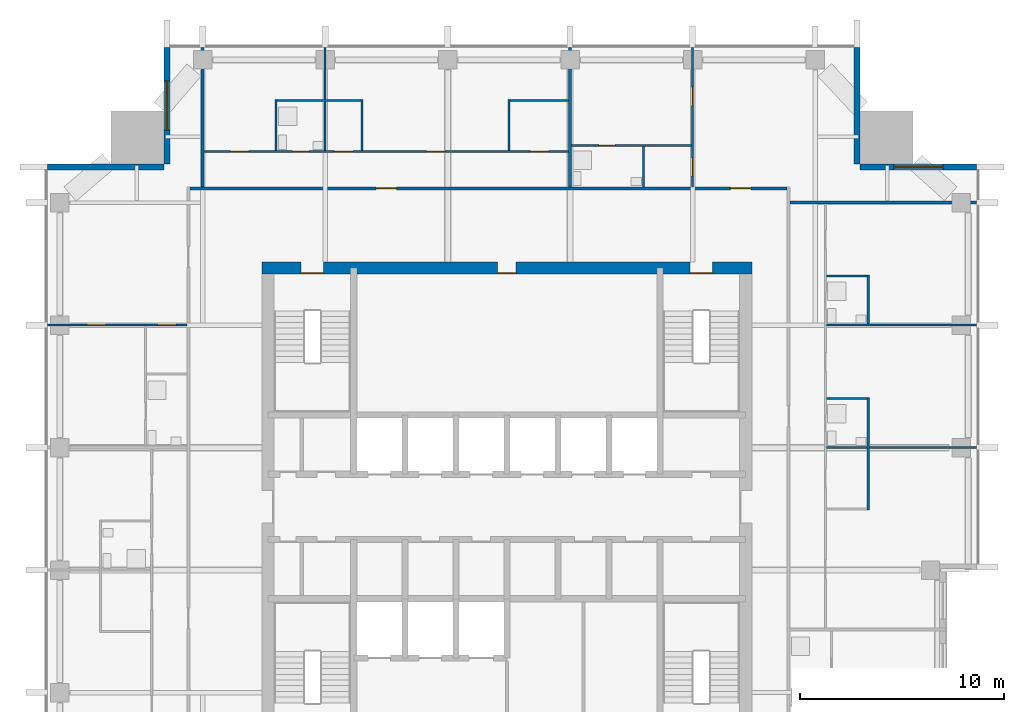
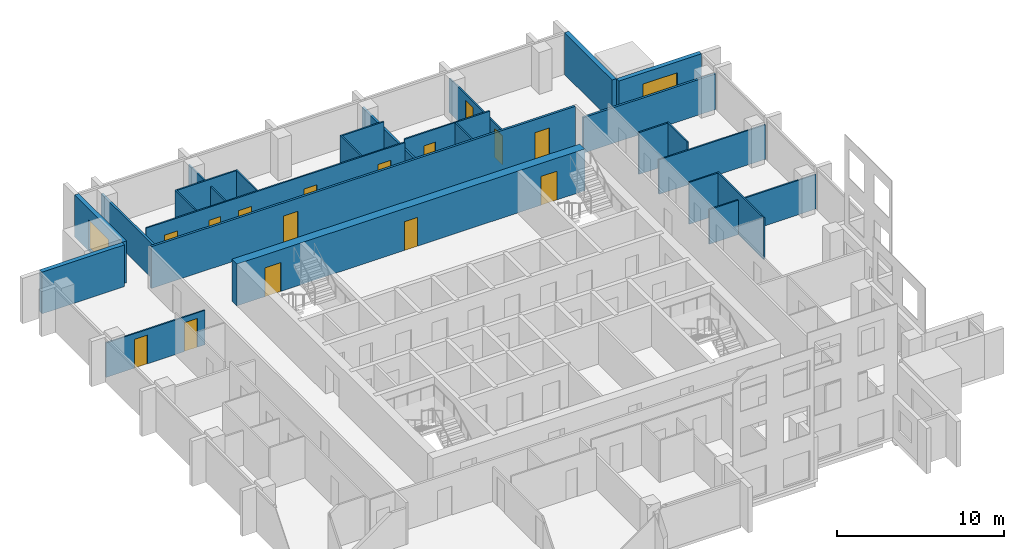
# One storey, part 7 of 12: 26 walls, 15 doors, 2 windows, 17 openings.
"""IFC4 building model written with IfcOpenShell, lengths in metres."""

from ifc_helpers import new_model, si_unit, direction, frame, frame_2d, origin, place, context, subcontext, project, spatial, rectangle, extrude, material, layer, layer_set, type_object, element, fill, save


model = new_model("IFC4")

# Units and contexts
model_context = context("Model", 3, precision=1e-05, world=origin(), true_north=direction((0.0, 1.0)))
body_context = subcontext(model_context, "Body", "Model", "MODEL_VIEW")
ifc_project = project(units=[si_unit("LENGTHUNIT", "METRE"), si_unit("AREAUNIT", "SQUARE_METRE"), si_unit("VOLUMEUNIT", "CUBIC_METRE"), si_unit("PLANEANGLEUNIT", "RADIAN"), si_unit("MASSUNIT", "GRAM", prefix="KILO")], contexts=[model_context])

# Site, building, storey
site_placement = place(None, origin())
site = spatial("IfcSite", under=ifc_project, at=site_placement, CompositionType="ELEMENT")
building_placement = place(site_placement, origin())
building = spatial("IfcBuilding", under=site, at=building_placement, Name="Amberfall Residences", CompositionType="ELEMENT")
storey_placement = place(building_placement, frame((0.0, 0.0, 187.0)))
storey = spatial("IfcBuildingStorey", under=building, at=storey_placement, Name="L49", CompositionType="ELEMENT", Elevation=187.0)

# Wall, opening, window
ifc_material_1 = material(Name="Pale stone cladding on insulated backing", Category="masonry")
ifc_layer_1 = layer(ifc_material_1, 0.300048828125)
ifc_layer_set_1 = layer_set([ifc_layer_1], Name="Bronze clad wall 300")
wall_type_1 = type_object("IfcWallType", Name="Bronze clad wall 300", PredefinedType="SOLIDWALL", material=ifc_layer_set_1)
wall_1_placement = place(storey_placement, frame((97.5, 62.14990234375, 0.0), z_axis=(0.0, 0.0, 1.0), x_axis=(-1.0, 0.0, 0.0)))
wall_1 = element("IfcWall", 1, at=wall_1_placement, inside=storey, type_object=wall_type_1, Name="External wall L49 NE", PredefinedType="SOLIDWALL", context=body_context, shape_type="SweptSolid", body=[
    extrude(rectangle(XDim=5.699951171875, YDim=0.300048828125, at=frame_2d((2.85009765625, 0.0))), origin(), (0.0, 0.0, 1.0), 3.050048828125),
])
opening_1_placement = place(wall_1_placement, frame((1.64990234375, 0.0, 0.14990234375)))
opening_1 = element("IfcOpeningElement", 2, at=opening_1_placement, cuts=wall_1, Name="Opening WN5", PredefinedType="OPENING", context=body_context, shape_type="SweptSolid", body=[
    extrude(rectangle(XDim=2.39990234375, YDim=2.10009765625, at=frame_2d((1.199951171875, 1.050048828125))), frame((0.0, 0.159912109375, 0.0), z_axis=(0.0, -1.0, 0.0), x_axis=(1.0, 0.0, 0.0)), (0.0, 0.0, 1.0), 0.320068359375),
])
ifc_material_2 = material(Name="Bronze aluminium framed glazing", Category="aluminium")
window_type = type_object("IfcWindowType", Name="Glazed opening 2400 x 2100 bronze", PartitioningType="DOUBLE_PANEL_VERTICAL", PredefinedType="WINDOW", material=ifc_material_2)
window_1_placement = place(opening_1_placement, origin())
window_1 = element("IfcWindow", 3, at=window_1_placement, inside=storey, type_object=window_type, Name="Window L49 NE", OverallHeight=2.10009765625, OverallWidth=2.39990234375, PartitioningType="DOUBLE_PANEL_VERTICAL", PredefinedType="WINDOW", context=body_context, shape_type="SweptSolid", body=[
    extrude(rectangle(XDim=2.39990234375, YDim=2.10009765625, at=frame_2d((1.199951171875, 1.050048828125))), frame((0.0, 0.030029296875, 0.0), z_axis=(0.0, -1.0, 0.0), x_axis=(1.0, 0.0, 0.0)), (0.0, 0.0, 1.0), 0.06005859375),
])
fill(opening_1, window_1)

# Wall
wall_2_placement = place(storey_placement, frame((91.64990234375, 62.300048828125, 0.0), z_axis=(0.0, 0.0, 1.0), x_axis=(0.0, 1.0, 0.0)))
element("IfcWall", 4, at=wall_2_placement, inside=storey, type_object=wall_type_1, Name="External wall L49 NE", PredefinedType="SOLIDWALL", context=body_context, shape_type="SweptSolid", body=[
    extrude(rectangle(XDim=5.699951171875, YDim=0.300048828125, at=frame_2d((2.85009765625, 0.0))), origin(), (0.0, 0.0, 1.0), 3.050048828125),
])

# Wall, opening, window
wall_3_placement = place(storey_placement, frame((57.85009765625, 68.0, 0.0), z_axis=(0.0, 0.0, 1.0), x_axis=(0.0, -1.0, 0.0)))
wall_3 = element("IfcWall", 5, at=wall_3_placement, inside=storey, type_object=wall_type_1, Name="External wall L49 NW", PredefinedType="SOLIDWALL", context=body_context, shape_type="SweptSolid", body=[
    extrude(rectangle(XDim=5.699951171875, YDim=0.300048828125, at=frame_2d((2.85009765625, 0.0))), origin(), (0.0, 0.0, 1.0), 3.050048828125),
])
opening_2_placement = place(wall_3_placement, frame((1.64990234375, 0.0, 0.14990234375)))
opening_2 = element("IfcOpeningElement", 6, at=opening_2_placement, cuts=wall_3, Name="Opening WN5", PredefinedType="OPENING", context=body_context, shape_type="SweptSolid", body=[
    extrude(rectangle(XDim=2.39990234375, YDim=2.10009765625, at=frame_2d((1.199951171875, 1.050048828125))), frame((0.0, 0.159912109375, 0.0), z_axis=(0.0, -1.0, 0.0), x_axis=(1.0, 0.0, 0.0)), (0.0, 0.0, 1.0), 0.320068359375),
])
window_2_placement = place(opening_2_placement, origin())
window_2 = element("IfcWindow", 7, at=window_2_placement, inside=storey, type_object=window_type, Name="Window L49 NW", OverallHeight=2.10009765625, OverallWidth=2.39990234375, PartitioningType="DOUBLE_PANEL_VERTICAL", PredefinedType="WINDOW", context=body_context, shape_type="SweptSolid", body=[
    extrude(rectangle(XDim=2.39990234375, YDim=2.10009765625, at=frame_2d((1.199951171875, 1.050048828125))), frame((0.0, 0.030029296875, 0.0), z_axis=(0.0, -1.0, 0.0), x_axis=(1.0, 0.0, 0.0)), (0.0, 0.0, 1.0), 0.06005859375),
])
fill(opening_2, window_2)

# Wall
wall_4_placement = place(storey_placement, frame((57.699951171875, 62.14990234375, 0.0), z_axis=(0.0, 0.0, 1.0), x_axis=(-1.0, 0.0, 0.0)))
element("IfcWall", 8, at=wall_4_placement, inside=storey, type_object=wall_type_1, Name="External wall L49 NW", PredefinedType="SOLIDWALL", context=body_context, shape_type="SweptSolid", body=[
    extrude(rectangle(XDim=5.699951171875, YDim=0.300048828125, at=frame_2d((2.85009765625, 0.0))), origin(), (0.0, 0.0, 1.0), 3.050048828125),
])

# Wall, openings, doors
ifc_material_3 = material(Name="Concrete C55", Category="concrete")
ifc_layer_2 = layer(ifc_material_3, 0.60009765625)
ifc_layer_set_2 = layer_set([ifc_layer_2], Name="Core wall 600 C55")
wall_type_2 = type_object("IfcWallType", Name="Core wall 600 C55", PredefinedType="SHEAR", material=ifc_layer_set_2)
wall_5_placement = place(storey_placement, frame((62.5, 57.199951171875, 0.0), z_axis=(0.0, 0.0, 1.0), x_axis=(1.0, 0.0, 0.0)))
wall_5 = element("IfcWall", 9, at=wall_5_placement, inside=storey, type_object=wall_type_2, Name="Core wall RW7 L49 ON", PredefinedType="SHEAR", context=body_context, shape_type="SweptSolid", body=[
    extrude(rectangle(XDim=24.0, YDim=0.60009765625, at=frame_2d((12.0, 0.0))), origin(), (0.0, 0.0, 1.0), 3.050048828125),
])
opening_3_placement = place(wall_5_placement, frame((20.97509765625, 0.0, 0.0)))
opening_3 = element("IfcOpeningElement", 10, at=opening_3_placement, cuts=wall_5, Name="Opening SD1", PredefinedType="OPENING", context=body_context, shape_type="SweptSolid", body=[
    extrude(rectangle(XDim=1.10009765625, YDim=2.10009765625, at=frame_2d((0.550048828125, 1.050048828125))), frame((0.0, 0.31005859375, 0.0), z_axis=(0.0, -1.0, 0.0), x_axis=(1.0, 0.0, 0.0)), (0.0, 0.0, 1.0), 0.6201171875),
])
opening_4_placement = place(wall_5_placement, frame((1.925048828125, 0.0, 0.0)))
opening_4 = element("IfcOpeningElement", 11, at=opening_4_placement, cuts=wall_5, Name="Opening SD1", PredefinedType="OPENING", context=body_context, shape_type="SweptSolid", body=[
    extrude(rectangle(XDim=1.10009765625, YDim=2.10009765625, at=frame_2d((0.550048828125, 1.050048828125))), frame((0.0, 0.31005859375, 0.0), z_axis=(0.0, -1.0, 0.0), x_axis=(1.0, 0.0, 0.0)), (0.0, 0.0, 1.0), 0.6201171875),
])
opening_5_placement = place(wall_5_placement, frame((11.550048828125, 0.0, 0.0)))
opening_5 = element("IfcOpeningElement", 12, at=opening_5_placement, cuts=wall_5, Name="Opening RD1", PredefinedType="OPENING", context=body_context, shape_type="SweptSolid", body=[
    extrude(rectangle(XDim=0.89990234375, YDim=2.10009765625, at=frame_2d((0.449951171875, 1.050048828125))), frame((0.0, 0.31005859375, 0.0), z_axis=(0.0, -1.0, 0.0), x_axis=(1.0, 0.0, 0.0)), (0.0, 0.0, 1.0), 0.6201171875),
])
ifc_material_4 = material(Name="Steel fire door set", Category="steel")
door_type_1 = type_object("IfcDoorType", Name="Service room door 900 x 2100", OperationType="SINGLE_SWING_LEFT", PredefinedType="DOOR", material=ifc_material_4)
door_1_placement = place(opening_5_placement, origin())
door_1 = element("IfcDoor", 13, at=door_1_placement, inside=storey, type_object=door_type_1, Name="RD1 L49", OperationType="SINGLE_SWING_RIGHT", OverallHeight=2.10009765625, OverallWidth=0.89990234375, PredefinedType="DOOR", context=body_context, shape_type="SweptSolid", body=[
    extrude(rectangle(XDim=0.89990234375, YDim=2.10009765625, at=frame_2d((0.449951171875, 1.050048828125))), frame((0.0, -0.2373046875, 0.0), z_axis=(0.0, -1.0, 0.0), x_axis=(1.0, 0.0, 0.0)), (0.0, 0.0, 1.0), 0.050048828125),
])
fill(opening_5, door_1)
door_type_2 = type_object("IfcDoorType", Name="Stair door 1100 x 2100", OperationType="SINGLE_SWING_LEFT", PredefinedType="DOOR", material=ifc_material_4)
door_2_placement = place(opening_3_placement, origin())
door_2 = element("IfcDoor", 14, at=door_2_placement, inside=storey, type_object=door_type_2, Name="SD1 L49", OperationType="SINGLE_SWING_RIGHT", OverallHeight=2.10009765625, OverallWidth=1.10009765625, PredefinedType="DOOR", context=body_context, shape_type="SweptSolid", body=[
    extrude(rectangle(XDim=1.10009765625, YDim=2.10009765625, at=frame_2d((0.550048828125, 1.050048828125))), frame((0.0, -0.2373046875, 0.0), z_axis=(0.0, -1.0, 0.0), x_axis=(1.0, 0.0, 0.0)), (0.0, 0.0, 1.0), 0.050048828125),
])
fill(opening_3, door_2)
door_3_placement = place(opening_4_placement, origin())
door_3 = element("IfcDoor", 15, at=door_3_placement, inside=storey, type_object=door_type_2, Name="SD1 L49", OperationType="SINGLE_SWING_LEFT", OverallHeight=2.10009765625, OverallWidth=1.10009765625, PredefinedType="DOOR", context=body_context, shape_type="SweptSolid", body=[
    extrude(rectangle(XDim=1.10009765625, YDim=2.10009765625, at=frame_2d((0.550048828125, 1.050048828125))), frame((0.0, -0.2373046875, 0.0), z_axis=(0.0, -1.0, 0.0), x_axis=(1.0, 0.0, 0.0)), (0.0, 0.0, 1.0), 0.050048828125),
])
fill(opening_4, door_3)

# Walls
ifc_material_5 = material(Name="Gypsum board on metal stud")
ifc_layer_3 = layer(ifc_material_5, 0.10009765625)
ifc_layer_set_3 = layer_set([ifc_layer_3], Name="Flat partition 100")
wall_type_3 = type_object("IfcWallType", Name="Flat partition 100", PredefinedType="PARTITIONING", material=ifc_layer_set_3)
wall_6_placement = place(storey_placement, frame((63.199951171875, 62.949951171875, 0.0), z_axis=(0.0, 0.0, 1.0), x_axis=(0.0, 1.0, 0.0)))
element("IfcWall", 16, at=wall_6_placement, inside=storey, type_object=wall_type_3, Name="Partition 005", PredefinedType="PARTITIONING", context=body_context, shape_type="SweptSolid", body=[
    extrude(rectangle(XDim=2.5, YDim=0.10009765625, at=frame_2d((1.25, 0.0))), origin(), (0.0, 0.0, 1.0), 3.050048828125),
])
wall_7_placement = place(storey_placement, frame((65.60009765625, 62.949951171875, 0.0), z_axis=(0.0, 0.0, 1.0), x_axis=(0.0, 1.0, 0.0)))
element("IfcWall", 17, at=wall_7_placement, inside=storey, type_object=wall_type_3, Name="Partition 007", PredefinedType="PARTITIONING", context=body_context, shape_type="SweptSolid", body=[
    extrude(rectangle(XDim=5.050048828125, YDim=0.10009765625, at=frame_2d((2.52490234375, 0.0))), origin(), (0.0, 0.0, 1.0), 2.51611328125),
])
for number, where, z_axis, x_axis, name in (
    (18, (67.39990234375, 62.949951171875, 0.0), (0.0, 0.0, 1.0), (0.0, 1.0, 0.0), "Partition 008"),
    (19, (74.60009765625, 62.949951171875, 0.0), (0.0, 0.0, 1.0), (0.0, 1.0, 0.0), "Partition 010"),
):
    element("IfcWall", number, at=place(storey_placement, frame(where, z_axis=z_axis, x_axis=x_axis)), inside=storey, type_object=wall_type_3, Name=name, PredefinedType="PARTITIONING", context=body_context, shape_type="SweptSolid", body=[
        extrude(rectangle(XDim=2.5, YDim=0.10009765625, at=frame_2d((1.25, 0.0))), origin(), (0.0, 0.0, 1.0), 3.050048828125),
    ])
wall_8_placement = place(storey_placement, frame((81.199951171875, 61.175048828125, 0.0), z_axis=(0.0, 0.0, 1.0), x_axis=(0.0, 1.0, 0.0)))
element("IfcWall", 20, at=wall_8_placement, inside=storey, type_object=wall_type_3, Name="Partition 014", PredefinedType="PARTITIONING", context=body_context, shape_type="SweptSolid", body=[
    extrude(rectangle(XDim=1.974853515625, YDim=0.10009765625, at=frame_2d((0.9873046875, 0.0))), origin(), (0.0, 0.0, 1.0), 3.050048828125),
])

# Wall, openings, doors
wall_9_placement = place(storey_placement, frame((83.60009765625, 61.175048828125, 0.0), z_axis=(0.0, 0.0, 1.0), x_axis=(0.0, 1.0, 0.0)))
wall_9 = element("IfcWall", 21, at=wall_9_placement, inside=storey, type_object=wall_type_3, Name="Partition 015", PredefinedType="PARTITIONING", context=body_context, shape_type="SweptSolid", body=[
    extrude(rectangle(XDim=6.824951171875, YDim=0.10009765625, at=frame_2d((3.41259765625, 0.0))), origin(), (0.0, 0.0, 1.0), 2.51611328125),
])
opening_6_placement = place(wall_9_placement, frame((0.52490234375, 0.0, 0.0)))
opening_6 = element("IfcOpeningElement", 22, at=opening_6_placement, cuts=wall_9, Name="Opening D41", PredefinedType="OPENING", context=body_context, shape_type="SweptSolid", body=[
    extrude(rectangle(XDim=0.89990234375, YDim=2.10009765625, at=frame_2d((0.449951171875, 1.050048828125))), frame((0.0, 0.06005859375, 0.0), z_axis=(0.0, -1.0, 0.0), x_axis=(1.0, 0.0, 0.0)), (0.0, 0.0, 1.0), 0.1201171875),
])
opening_7_placement = place(wall_9_placement, frame((3.97509765625, 0.0, 0.0)))
opening_7 = element("IfcOpeningElement", 23, at=opening_7_placement, cuts=wall_9, Name="Opening D41", PredefinedType="OPENING", context=body_context, shape_type="SweptSolid", body=[
    extrude(rectangle(XDim=0.89990234375, YDim=2.10009765625, at=frame_2d((0.449951171875, 1.050048828125))), frame((0.0, 0.06005859375, 0.0), z_axis=(0.0, -1.0, 0.0), x_axis=(1.0, 0.0, 0.0)), (0.0, 0.0, 1.0), 0.1201171875),
])
ifc_material_6 = material(Name="Timber", Category="wood")
door_type_3 = type_object("IfcDoorType", Name="Internal door 900 x 2100", OperationType="SINGLE_SWING_LEFT", PredefinedType="DOOR", material=ifc_material_6)
door_4_placement = place(opening_6_placement, origin())
door_4 = element("IfcDoor", 24, at=door_4_placement, inside=storey, type_object=door_type_3, Name="Door 4906 kitchen", OperationType="SINGLE_SWING_LEFT", OverallHeight=2.10009765625, OverallWidth=0.89990234375, PredefinedType="DOOR", context=body_context, shape_type="SweptSolid", body=[
    extrude(rectangle(XDim=0.89990234375, YDim=2.10009765625, at=frame_2d((0.449951171875, 1.050048828125))), frame((0.0, 0.02490234375, 0.0), z_axis=(0.0, -1.0, 0.0), x_axis=(1.0, 0.0, 0.0)), (0.0, 0.0, 1.0), 0.050048828125),
])
fill(opening_6, door_4)
door_5_placement = place(opening_7_placement, origin())
door_5 = element("IfcDoor", 25, at=door_5_placement, inside=storey, type_object=door_type_3, Name="Door 4906 bedroom1", OperationType="SINGLE_SWING_LEFT", OverallHeight=2.10009765625, OverallWidth=0.89990234375, PredefinedType="DOOR", context=body_context, shape_type="SweptSolid", body=[
    extrude(rectangle(XDim=0.89990234375, YDim=2.10009765625, at=frame_2d((0.449951171875, 1.050048828125))), frame((0.0, 0.02490234375, 0.0), z_axis=(0.0, -1.0, 0.0), x_axis=(1.0, 0.0, 0.0)), (0.0, 0.0, 1.0), 0.050048828125),
])
fill(opening_7, door_5)

# Walls
wall_10_placement = place(storey_placement, frame((92.199951171875, 45.35009765625, 0.0), z_axis=(0.0, 0.0, 1.0), x_axis=(0.0, 1.0, 0.0)))
element("IfcWall", 26, at=wall_10_placement, inside=storey, type_object=wall_type_3, Name="Partition 020", PredefinedType="PARTITIONING", context=body_context, shape_type="SweptSolid", body=[
    extrude(rectangle(XDim=5.5, YDim=0.10009765625, at=frame_2d((2.75, 0.0))), origin(), (0.0, 0.0, 1.0), 3.050048828125),
])
wall_11_placement = place(storey_placement, frame((92.199951171875, 54.449951171875, 0.0), z_axis=(0.0, 0.0, 1.0), x_axis=(0.0, 1.0, 0.0)))
element("IfcWall", 27, at=wall_11_placement, inside=storey, type_object=wall_type_3, Name="Partition 021", PredefinedType="PARTITIONING", context=body_context, shape_type="SweptSolid", body=[
    extrude(rectangle(XDim=2.400146484375, YDim=0.10009765625, at=frame_2d((1.2001953125, 0.0))), origin(), (0.0, 0.0, 1.0), 3.050048828125),
])
wall_12_placement = place(storey_placement, frame((63.25, 65.39990234375, 0.0), z_axis=(0.0, 0.0, 1.0), x_axis=(1.0, 0.0, 0.0)))
element("IfcWall", 28, at=wall_12_placement, inside=storey, type_object=wall_type_3, Name="Partition 022", PredefinedType="PARTITIONING", context=body_context, shape_type="SweptSolid", body=[
    extrude(rectangle(XDim=4.10009765625, YDim=0.10009765625, at=frame_2d((2.050048828125, 0.0))), origin(), (0.0, 0.0, 1.0), 3.050048828125),
])
wall_13_placement = place(storey_placement, frame((74.64990234375, 65.39990234375, 0.0), z_axis=(0.0, 0.0, 1.0), x_axis=(1.0, 0.0, 0.0)))
element("IfcWall", 29, at=wall_13_placement, inside=storey, type_object=wall_type_3, Name="Partition 023", PredefinedType="PARTITIONING", context=body_context, shape_type="SweptSolid", body=[
    extrude(rectangle(XDim=2.875, YDim=0.10009765625, at=frame_2d((1.4375, 0.0))), origin(), (0.0, 0.0, 1.0), 3.050048828125),
])

# Wall, opening, door
wall_14_placement = place(storey_placement, frame((83.550048828125, 63.199951171875, 0.0), z_axis=(0.0, 0.0, 1.0), x_axis=(-1.0, 0.0, 0.0)))
wall_14 = element("IfcWall", 30, at=wall_14_placement, inside=storey, type_object=wall_type_3, Name="Partition 024", PredefinedType="PARTITIONING", context=body_context, shape_type="SweptSolid", body=[
    extrude(rectangle(XDim=5.875, YDim=0.10009765625, at=frame_2d((2.9375, 0.0))), origin(), (0.0, 0.0, 1.0), 3.050048828125),
])
opening_8_placement = place(wall_14_placement, frame((3.75, 0.0, 0.0)))
opening_8 = element("IfcOpeningElement", 31, at=opening_8_placement, cuts=wall_14, Name="Opening D42", PredefinedType="OPENING", context=body_context, shape_type="SweptSolid", body=[
    extrude(rectangle(XDim=0.800048828125, YDim=2.10009765625, at=frame_2d((0.39990234375, 1.050048828125))), frame((0.0, 0.06005859375, 0.0), z_axis=(0.0, -1.0, 0.0), x_axis=(1.0, 0.0, 0.0)), (0.0, 0.0, 1.0), 0.1201171875),
])
door_type_4 = type_object("IfcDoorType", Name="Bathroom door 800 x 2100", OperationType="SINGLE_SWING_LEFT", PredefinedType="DOOR", material=ifc_material_6)
door_6_placement = place(opening_8_placement, origin())
door_6 = element("IfcDoor", 32, at=door_6_placement, inside=storey, type_object=door_type_4, Name="Door 4906 bath1", OperationType="SINGLE_SWING_LEFT", OverallHeight=2.10009765625, OverallWidth=0.800048828125, PredefinedType="DOOR", context=body_context, shape_type="SweptSolid", body=[
    extrude(rectangle(XDim=0.800048828125, YDim=2.10009765625, at=frame_2d((0.39990234375, 1.050048828125))), frame((0.0, 0.02490234375, 0.0), z_axis=(0.0, -1.0, 0.0), x_axis=(1.0, 0.0, 0.0)), (0.0, 0.0, 1.0), 0.050048828125),
])
fill(opening_8, door_6)

# Wall, openings, doors
wall_15_placement = place(storey_placement, frame((59.675048828125, 62.89990234375, 0.0), z_axis=(0.0, 0.0, 1.0), x_axis=(1.0, 0.0, 0.0)))
wall_15 = element("IfcWall", 33, at=wall_15_placement, inside=storey, type_object=wall_type_3, Name="Partition 025", PredefinedType="PARTITIONING", context=body_context, shape_type="SweptSolid", body=[
    extrude(rectangle(XDim=17.849853515625, YDim=0.10009765625, at=frame_2d((8.9248046875, 0.0))), origin(), (0.0, 0.0, 1.0), 3.050048828125),
])
opening_9_placement = place(wall_15_placement, frame((10.875, 0.0, 0.0)))
opening_9 = element("IfcOpeningElement", 34, at=opening_9_placement, cuts=wall_15, Name="Opening D41", PredefinedType="OPENING", context=body_context, shape_type="SweptSolid", body=[
    extrude(rectangle(XDim=0.89990234375, YDim=2.10009765625, at=frame_2d((0.449951171875, 1.050048828125))), frame((0.0, 0.06005859375, 0.0), z_axis=(0.0, -1.0, 0.0), x_axis=(1.0, 0.0, 0.0)), (0.0, 0.0, 1.0), 0.1201171875),
])
opening_10_placement = place(wall_15_placement, frame((15.97509765625, 0.0, 0.0)))
opening_10 = element("IfcOpeningElement", 35, at=opening_10_placement, cuts=wall_15, Name="Opening D41", PredefinedType="OPENING", context=body_context, shape_type="SweptSolid", body=[
    extrude(rectangle(XDim=0.89990234375, YDim=2.10009765625, at=frame_2d((0.449951171875, 1.050048828125))), frame((0.0, 0.06005859375, 0.0), z_axis=(0.0, -1.0, 0.0), x_axis=(1.0, 0.0, 0.0)), (0.0, 0.0, 1.0), 0.1201171875),
])
opening_11_placement = place(wall_15_placement, frame((6.375, 0.0, 0.0)))
opening_11 = element("IfcOpeningElement", 36, at=opening_11_placement, cuts=wall_15, Name="Opening D41", PredefinedType="OPENING", context=body_context, shape_type="SweptSolid", body=[
    extrude(rectangle(XDim=0.89990234375, YDim=2.10009765625, at=frame_2d((0.449951171875, 1.050048828125))), frame((0.0, 0.06005859375, 0.0), z_axis=(0.0, -1.0, 0.0), x_axis=(1.0, 0.0, 0.0)), (0.0, 0.0, 1.0), 0.1201171875),
])
opening_12_placement = place(wall_15_placement, frame((1.27490234375, 0.0, 0.0)))
opening_12 = element("IfcOpeningElement", 37, at=opening_12_placement, cuts=wall_15, Name="Opening D41", PredefinedType="OPENING", context=body_context, shape_type="SweptSolid", body=[
    extrude(rectangle(XDim=0.89990234375, YDim=2.10009765625, at=frame_2d((0.449951171875, 1.050048828125))), frame((0.0, 0.06005859375, 0.0), z_axis=(0.0, -1.0, 0.0), x_axis=(1.0, 0.0, 0.0)), (0.0, 0.0, 1.0), 0.1201171875),
])
opening_13_placement = place(wall_15_placement, frame((4.324951171875, 0.0, 0.0)))
opening_13 = element("IfcOpeningElement", 38, at=opening_13_placement, cuts=wall_15, Name="Opening D42", PredefinedType="OPENING", context=body_context, shape_type="SweptSolid", body=[
    extrude(rectangle(XDim=0.800048828125, YDim=2.10009765625, at=frame_2d((0.39990234375, 1.050048828125))), frame((0.0, 0.06005859375, 0.0), z_axis=(0.0, -1.0, 0.0), x_axis=(1.0, 0.0, 0.0)), (0.0, 0.0, 1.0), 0.1201171875),
])
door_7_placement = place(opening_13_placement, origin())
door_7 = element("IfcDoor", 39, at=door_7_placement, inside=storey, type_object=door_type_4, Name="Door 4905 bath1", OperationType="SINGLE_SWING_LEFT", OverallHeight=2.10009765625, OverallWidth=0.800048828125, PredefinedType="DOOR", context=body_context, shape_type="SweptSolid", body=[
    extrude(rectangle(XDim=0.800048828125, YDim=2.10009765625, at=frame_2d((0.39990234375, 1.050048828125))), frame((0.0, 0.02490234375, 0.0), z_axis=(0.0, -1.0, 0.0), x_axis=(1.0, 0.0, 0.0)), (0.0, 0.0, 1.0), 0.050048828125),
])
fill(opening_13, door_7)
door_8_placement = place(opening_9_placement, origin())
door_8 = element("IfcDoor", 40, at=door_8_placement, inside=storey, type_object=door_type_3, Name="Door 4905 living", OperationType="SINGLE_SWING_LEFT", OverallHeight=2.10009765625, OverallWidth=0.89990234375, PredefinedType="DOOR", context=body_context, shape_type="SweptSolid", body=[
    extrude(rectangle(XDim=0.89990234375, YDim=2.10009765625, at=frame_2d((0.449951171875, 1.050048828125))), frame((0.0, 0.02490234375, 0.0), z_axis=(0.0, -1.0, 0.0), x_axis=(1.0, 0.0, 0.0)), (0.0, 0.0, 1.0), 0.050048828125),
])
fill(opening_9, door_8)
door_9_placement = place(opening_10_placement, origin())
door_9 = element("IfcDoor", 41, at=door_9_placement, inside=storey, type_object=door_type_3, Name="Door 4905 kitchen", OperationType="SINGLE_SWING_LEFT", OverallHeight=2.10009765625, OverallWidth=0.89990234375, PredefinedType="DOOR", context=body_context, shape_type="SweptSolid", body=[
    extrude(rectangle(XDim=0.89990234375, YDim=2.10009765625, at=frame_2d((0.449951171875, 1.050048828125))), frame((0.0, 0.02490234375, 0.0), z_axis=(0.0, -1.0, 0.0), x_axis=(1.0, 0.0, 0.0)), (0.0, 0.0, 1.0), 0.050048828125),
])
fill(opening_10, door_9)
door_10_placement = place(opening_11_placement, origin())
door_10 = element("IfcDoor", 42, at=door_10_placement, inside=storey, type_object=door_type_3, Name="Door 4905 store", OperationType="SINGLE_SWING_LEFT", OverallHeight=2.10009765625, OverallWidth=0.89990234375, PredefinedType="DOOR", context=body_context, shape_type="SweptSolid", body=[
    extrude(rectangle(XDim=0.89990234375, YDim=2.10009765625, at=frame_2d((0.449951171875, 1.050048828125))), frame((0.0, 0.02490234375, 0.0), z_axis=(0.0, -1.0, 0.0), x_axis=(1.0, 0.0, 0.0)), (0.0, 0.0, 1.0), 0.050048828125),
])
fill(opening_11, door_10)
door_11_placement = place(opening_12_placement, origin())
door_11 = element("IfcDoor", 43, at=door_11_placement, inside=storey, type_object=door_type_3, Name="Door 4905 bedroom1", OperationType="SINGLE_SWING_LEFT", OverallHeight=2.10009765625, OverallWidth=0.89990234375, PredefinedType="DOOR", context=body_context, shape_type="SweptSolid", body=[
    extrude(rectangle(XDim=0.89990234375, YDim=2.10009765625, at=frame_2d((0.449951171875, 1.050048828125))), frame((0.0, 0.02490234375, 0.0), z_axis=(0.0, -1.0, 0.0), x_axis=(1.0, 0.0, 0.0)), (0.0, 0.0, 1.0), 0.050048828125),
])
fill(opening_12, door_11)

# Wall
wall_16_placement = place(storey_placement, frame((90.14990234375, 56.800048828125, 0.0), z_axis=(0.0, 0.0, 1.0), x_axis=(1.0, 0.0, 0.0)))
element("IfcWall", 44, at=wall_16_placement, inside=storey, type_object=wall_type_3, Name="Partition 026", PredefinedType="PARTITIONING", context=body_context, shape_type="SweptSolid", body=[
    extrude(rectangle(XDim=2.0, YDim=0.10009765625, at=frame_2d((1.0, 0.0))), origin(), (0.0, 0.0, 1.0), 3.050048828125),
])

# Wall, openings, doors
wall_17_placement = place(storey_placement, frame((58.824951171875, 54.39990234375, 0.0), z_axis=(0.0, 0.0, 1.0), x_axis=(-1.0, 0.0, 0.0)))
wall_17 = element("IfcWall", 45, at=wall_17_placement, inside=storey, type_object=wall_type_3, Name="Partition 027", PredefinedType="PARTITIONING", context=body_context, shape_type="SweptSolid", body=[
    extrude(rectangle(XDim=6.824951171875, YDim=0.10009765625, at=frame_2d((3.41259765625, 0.0))), origin(), (0.0, 0.0, 1.0), 2.51611328125),
])
opening_14_placement = place(wall_17_placement, frame((0.52490234375, 0.0, 0.0)))
opening_14 = element("IfcOpeningElement", 46, at=opening_14_placement, cuts=wall_17, Name="Opening D41", PredefinedType="OPENING", context=body_context, shape_type="SweptSolid", body=[
    extrude(rectangle(XDim=0.89990234375, YDim=2.10009765625, at=frame_2d((0.449951171875, 1.050048828125))), frame((0.0, 0.06005859375, 0.0), z_axis=(0.0, -1.0, 0.0), x_axis=(1.0, 0.0, 0.0)), (0.0, 0.0, 1.0), 0.1201171875),
])
opening_15_placement = place(wall_17_placement, frame((3.97509765625, 0.0, 0.0)))
opening_15 = element("IfcOpeningElement", 47, at=opening_15_placement, cuts=wall_17, Name="Opening D41", PredefinedType="OPENING", context=body_context, shape_type="SweptSolid", body=[
    extrude(rectangle(XDim=0.89990234375, YDim=2.10009765625, at=frame_2d((0.449951171875, 1.050048828125))), frame((0.0, 0.06005859375, 0.0), z_axis=(0.0, -1.0, 0.0), x_axis=(1.0, 0.0, 0.0)), (0.0, 0.0, 1.0), 0.1201171875),
])
door_12_placement = place(opening_14_placement, origin())
door_12 = element("IfcDoor", 48, at=door_12_placement, inside=storey, type_object=door_type_3, Name="Door 4908 kitchen", OperationType="SINGLE_SWING_LEFT", OverallHeight=2.10009765625, OverallWidth=0.89990234375, PredefinedType="DOOR", context=body_context, shape_type="SweptSolid", body=[
    extrude(rectangle(XDim=0.89990234375, YDim=2.10009765625, at=frame_2d((0.449951171875, 1.050048828125))), frame((0.0, 0.02490234375, 0.0), z_axis=(0.0, -1.0, 0.0), x_axis=(1.0, 0.0, 0.0)), (0.0, 0.0, 1.0), 0.050048828125),
])
fill(opening_14, door_12)
door_13_placement = place(opening_15_placement, origin())
door_13 = element("IfcDoor", 49, at=door_13_placement, inside=storey, type_object=door_type_3, Name="Door 4908 bedroom1", OperationType="SINGLE_SWING_LEFT", OverallHeight=2.10009765625, OverallWidth=0.89990234375, PredefinedType="DOOR", context=body_context, shape_type="SweptSolid", body=[
    extrude(rectangle(XDim=0.89990234375, YDim=2.10009765625, at=frame_2d((0.449951171875, 1.050048828125))), frame((0.0, 0.02490234375, 0.0), z_axis=(0.0, -1.0, 0.0), x_axis=(1.0, 0.0, 0.0)), (0.0, 0.0, 1.0), 0.050048828125),
])
fill(opening_15, door_13)

# Walls
wall_18_placement = place(storey_placement, frame((90.14990234375, 54.39990234375, 0.0), z_axis=(0.0, 0.0, 1.0), x_axis=(1.0, 0.0, 0.0)))
element("IfcWall", 50, at=wall_18_placement, inside=storey, type_object=wall_type_3, Name="Partition 028", PredefinedType="PARTITIONING", context=body_context, shape_type="SweptSolid", body=[
    extrude(rectangle(XDim=7.35009765625, YDim=0.10009765625, at=frame_2d((3.675048828125, 0.0))), origin(), (0.0, 0.0, 1.0), 2.51611328125),
])
wall_19_placement = place(storey_placement, frame((90.14990234375, 50.800048828125, 0.0), z_axis=(0.0, 0.0, 1.0), x_axis=(1.0, 0.0, 0.0)))
element("IfcWall", 51, at=wall_19_placement, inside=storey, type_object=wall_type_3, Name="Partition 030", PredefinedType="PARTITIONING", context=body_context, shape_type="SweptSolid", body=[
    extrude(rectangle(XDim=2.0, YDim=0.10009765625, at=frame_2d((1.0, 0.0))), origin(), (0.0, 0.0, 1.0), 3.050048828125),
])
wall_20_placement = place(storey_placement, frame((90.14990234375, 48.39990234375, 0.0), z_axis=(0.0, 0.0, 1.0), x_axis=(1.0, 0.0, 0.0)))
element("IfcWall", 52, at=wall_20_placement, inside=storey, type_object=wall_type_3, Name="Partition 031", PredefinedType="PARTITIONING", context=body_context, shape_type="SweptSolid", body=[
    extrude(rectangle(XDim=7.35009765625, YDim=0.10009765625, at=frame_2d((3.675048828125, 0.0))), origin(), (0.0, 0.0, 1.0), 2.51611328125),
])
ifc_material_7 = material(Name="Blockwork, plastered", Category="masonry")
ifc_layer_4 = layer(ifc_material_7, 0.14990234375)
ifc_layer_set_4 = layer_set([ifc_layer_4], Name="Flat separating wall 150")
wall_type_4 = type_object("IfcWallType", Name="Flat separating wall 150", PredefinedType="PARTITIONING", material=ifc_layer_set_4)
wall_21_placement = place(storey_placement, frame((59.60009765625, 61.175048828125, 0.0), z_axis=(0.0, 0.0, 1.0), x_axis=(0.0, 1.0, 0.0)))
element("IfcWall", 53, at=wall_21_placement, inside=storey, type_object=wall_type_4, Name="Separating wall 045", PredefinedType="PARTITIONING", context=body_context, shape_type="SweptSolid", body=[
    extrude(rectangle(XDim=6.824951171875, YDim=0.14990234375, at=frame_2d((3.41259765625, 0.0))), origin(), (0.0, 0.0, 1.0), 2.510009765625),
])
wall_22_placement = place(storey_placement, frame((77.60009765625, 61.175048828125, 0.0), z_axis=(0.0, 0.0, 1.0), x_axis=(0.0, 1.0, 0.0)))
element("IfcWall", 54, at=wall_22_placement, inside=storey, type_object=wall_type_4, Name="Separating wall 047", PredefinedType="PARTITIONING", context=body_context, shape_type="SweptSolid", body=[
    extrude(rectangle(XDim=6.824951171875, YDim=0.14990234375, at=frame_2d((3.41259765625, 0.0))), origin(), (0.0, 0.0, 1.0), 2.51611328125),
])

# Wall, openings, doors
wall_23_placement = place(storey_placement, frame((58.97509765625, 61.10009765625, 0.0), z_axis=(0.0, 0.0, 1.0), x_axis=(1.0, 0.0, 0.0)))
wall_23 = element("IfcWall", 55, at=wall_23_placement, inside=storey, type_object=wall_type_4, Name="Separating wall 050", PredefinedType="PARTITIONING", context=body_context, shape_type="SweptSolid", body=[
    extrude(rectangle(XDim=29.25, YDim=0.14990234375, at=frame_2d((14.625, 0.0))), origin(), (0.0, 0.0, 1.0), 3.050048828125),
])
opening_16_placement = place(wall_23_placement, frame((9.125, 0.0, 0.0)))
opening_16 = element("IfcOpeningElement", 56, at=opening_16_placement, cuts=wall_23, Name="Opening D40", PredefinedType="OPENING", context=body_context, shape_type="SweptSolid", body=[
    extrude(rectangle(XDim=1.0, YDim=2.10009765625, at=frame_2d((0.5, 1.050048828125))), frame((0.0, 0.0849609375, 0.0), z_axis=(0.0, -1.0, 0.0), x_axis=(1.0, 0.0, 0.0)), (0.0, 0.0, 1.0), 0.169921875),
])
opening_17_placement = place(wall_23_placement, frame((26.47509765625, 0.0, 0.0)))
opening_17 = element("IfcOpeningElement", 57, at=opening_17_placement, cuts=wall_23, Name="Opening D40", PredefinedType="OPENING", context=body_context, shape_type="SweptSolid", body=[
    extrude(rectangle(XDim=1.0, YDim=2.10009765625, at=frame_2d((0.5, 1.050048828125))), frame((0.0, 0.0849609375, 0.0), z_axis=(0.0, -1.0, 0.0), x_axis=(1.0, 0.0, 0.0)), (0.0, 0.0, 1.0), 0.169921875),
])
ifc_material_8 = material(Name="Timber, fire-rated", Category="wood")
door_type_5 = type_object("IfcDoorType", Name="Flat entrance door FD60 1000 x 2100", OperationType="SINGLE_SWING_LEFT", PredefinedType="DOOR", material=ifc_material_8)
door_14_placement = place(opening_16_placement, origin())
door_14 = element("IfcDoor", 58, at=door_14_placement, inside=storey, type_object=door_type_5, Name="Door 4905 entrance", OperationType="SINGLE_SWING_LEFT", OverallHeight=2.10009765625, OverallWidth=1.0, PredefinedType="DOOR", context=body_context, shape_type="SweptSolid", body=[
    extrude(rectangle(XDim=1.0, YDim=2.10009765625, at=frame_2d((0.5, 1.050048828125))), frame((0.0, 0.02490234375, 0.0), z_axis=(0.0, -1.0, 0.0), x_axis=(1.0, 0.0, 0.0)), (0.0, 0.0, 1.0), 0.050048828125),
])
fill(opening_16, door_14)
door_15_placement = place(opening_17_placement, origin())
door_15 = element("IfcDoor", 59, at=door_15_placement, inside=storey, type_object=door_type_5, Name="Door 4906 entrance", OperationType="SINGLE_SWING_LEFT", OverallHeight=2.10009765625, OverallWidth=1.0, PredefinedType="DOOR", context=body_context, shape_type="SweptSolid", body=[
    extrude(rectangle(XDim=1.0, YDim=2.10009765625, at=frame_2d((0.5, 1.050048828125))), frame((0.0, 0.02490234375, 0.0), z_axis=(0.0, -1.0, 0.0), x_axis=(1.0, 0.0, 0.0)), (0.0, 0.0, 1.0), 0.050048828125),
])
fill(opening_17, door_15)

# Wall
wall_24_placement = place(storey_placement, frame((88.375, 60.39990234375, 0.0), z_axis=(0.0, 0.0, 1.0), x_axis=(1.0, 0.0, 0.0)))
element("IfcWall", 60, at=wall_24_placement, inside=storey, type_object=wall_type_4, Name="Separating wall 051", PredefinedType="PARTITIONING", context=body_context, shape_type="SweptSolid", body=[
    extrude(rectangle(XDim=9.125, YDim=0.14990234375, at=frame_2d((4.5625, 0.0))), origin(), (0.0, 0.0, 1.0), 2.590087890625),
])

save(model, "model.ifc")
